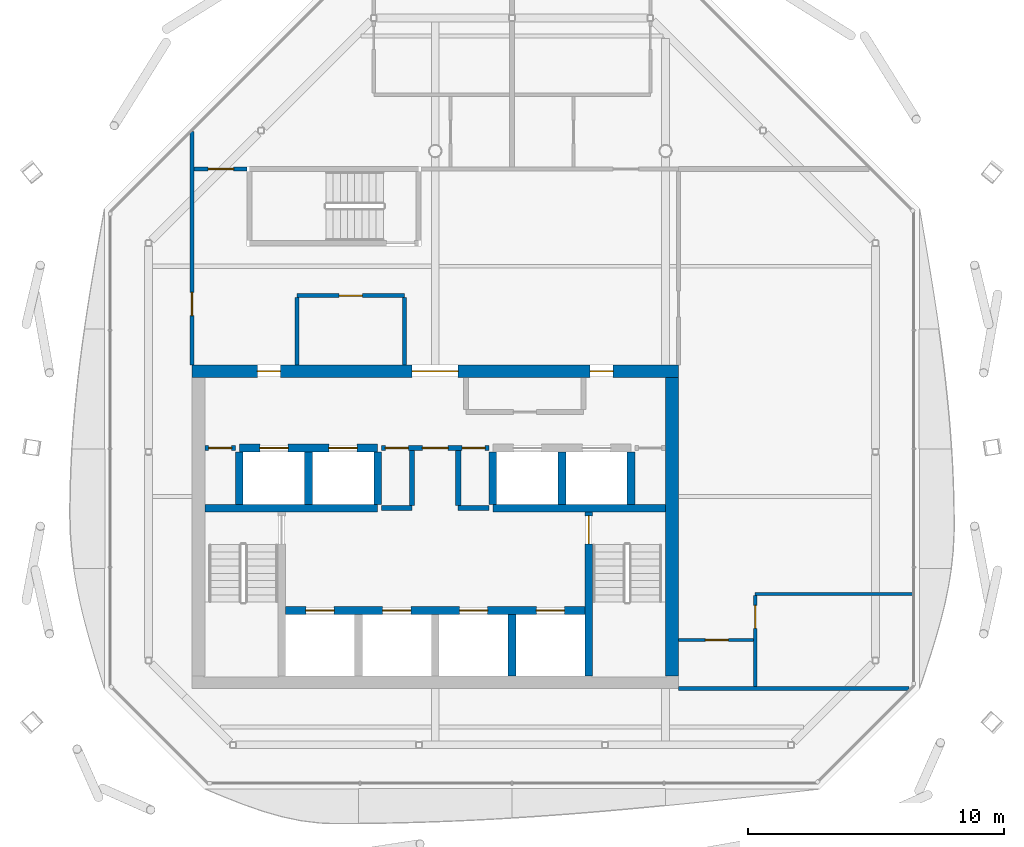
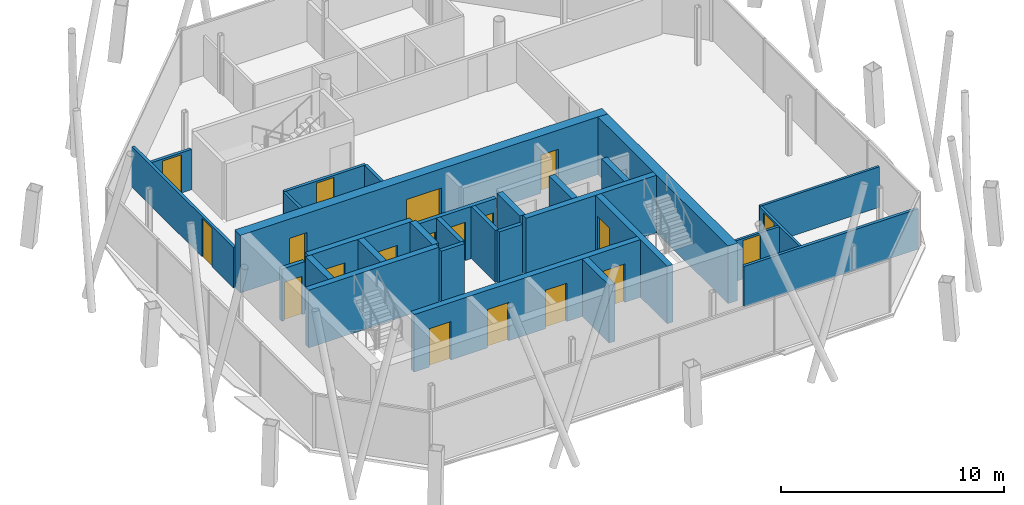
# One storey, part 9 of 13: 29 walls, 19 doors, 19 openings.
"""IFC4 building model written with IfcOpenShell, lengths in metres."""

from ifc_helpers import new_model, si_unit, direction, frame, frame_2d, origin, place, context, subcontext, project, spatial, rectangle, extrude, material, layer, layer_set, type_object, element, fill, save


model = new_model("IFC4")

# Units and contexts
model_context = context("Model", 3, precision=1e-05, world=origin(), true_north=direction((0.0, 1.0)))
body_context = subcontext(model_context, "Body", "Model", "MODEL_VIEW")
ifc_project = project(units=[si_unit("LENGTHUNIT", "METRE"), si_unit("AREAUNIT", "SQUARE_METRE"), si_unit("VOLUMEUNIT", "CUBIC_METRE"), si_unit("PLANEANGLEUNIT", "RADIAN"), si_unit("MASSUNIT", "GRAM", prefix="KILO")], contexts=[model_context])

# Site, building, storey
site_placement = place(None, origin())
site = spatial("IfcSite", under=ifc_project, at=site_placement, CompositionType="ELEMENT")
building_placement = place(site_placement, origin())
building = spatial("IfcBuilding", under=site, at=building_placement, Name="Tskaro Facet Tower", CompositionType="ELEMENT")
storey_placement = place(building_placement, frame((0.0, 0.0, 278.39990234375)))
storey = spatial("IfcBuildingStorey", under=building, at=storey_placement, Name="L74", CompositionType="ELEMENT", Elevation=278.39990234375)

# Wall, openings, doors
ifc_material_1 = material(Name="Concrete C60/75", Category="concrete")
ifc_layer_1 = layer(ifc_material_1, 0.300048828125, Name="Concrete C60/75")
ifc_layer_set_1 = layer_set([ifc_layer_1], Name="Concrete C60/75")
wall_type_1 = type_object("IfcWallType", Name="CORE-SHAFT", PredefinedType="SHEAR", material=ifc_layer_set_1)
wall_1_placement = place(storey_placement, frame((-5.85009765625, -8.949951171875, 0.0), z_axis=(0.0, 0.0, 1.0), x_axis=(1.0, 0.0, 0.0)))
wall_1 = element("IfcWall", 1, at=wall_1_placement, inside=storey, type_object=wall_type_1, Name="Shaft wall W003", PredefinedType="SHEAR", context=body_context, shape_type="SweptSolid", body=[
    extrude(rectangle(XDim=11.7001953125, YDim=0.300048828125, at=frame_2d((5.85009765625, 0.0))), origin(), (0.0, 0.0, 1.0), 3.150146484375),
])
opening_1_placement = place(wall_1_placement, frame((0.800048828125, 0.0, 0.0)))
opening_1 = element("IfcOpeningElement", 2, at=opening_1_placement, cuts=wall_1, Name="Opening LD-FF1", PredefinedType="OPENING", context=body_context, shape_type="SweptSolid", body=[
    extrude(rectangle(XDim=1.10009765625, YDim=2.10009765625, at=frame_2d((0.550048828125, 1.050048828125))), frame((0.0, 0.159912109375, 0.0), z_axis=(0.0, -1.0, 0.0), x_axis=(1.0, 0.0, 0.0)), (0.0, 0.0, 1.0), 0.320068359375),
])
opening_2_placement = place(wall_1_placement, frame((3.800048828125, 0.0, 0.0)))
opening_2 = element("IfcOpeningElement", 3, at=opening_2_placement, cuts=wall_1, Name="Opening LD-FF2", PredefinedType="OPENING", context=body_context, shape_type="SweptSolid", body=[
    extrude(rectangle(XDim=1.10009765625, YDim=2.10009765625, at=frame_2d((0.550048828125, 1.050048828125))), frame((0.0, 0.159912109375, 0.0), z_axis=(0.0, -1.0, 0.0), x_axis=(1.0, 0.0, 0.0)), (0.0, 0.0, 1.0), 0.320068359375),
])
opening_3_placement = place(wall_1_placement, frame((6.800048828125, 0.0, 0.0)))
opening_3 = element("IfcOpeningElement", 4, at=opening_3_placement, cuts=wall_1, Name="Opening LD-SV1", PredefinedType="OPENING", context=body_context, shape_type="SweptSolid", body=[
    extrude(rectangle(XDim=1.10009765625, YDim=2.10009765625, at=frame_2d((0.550048828125, 1.050048828125))), frame((0.0, 0.159912109375, 0.0), z_axis=(0.0, -1.0, 0.0), x_axis=(1.0, 0.0, 0.0)), (0.0, 0.0, 1.0), 0.320068359375),
])
opening_4_placement = place(wall_1_placement, frame((9.800048828125, 0.0, 0.0)))
opening_4 = element("IfcOpeningElement", 5, at=opening_4_placement, cuts=wall_1, Name="Opening LD-SV2", PredefinedType="OPENING", context=body_context, shape_type="SweptSolid", body=[
    extrude(rectangle(XDim=1.10009765625, YDim=2.10009765625, at=frame_2d((0.550048828125, 1.050048828125))), frame((0.0, 0.159912109375, 0.0), z_axis=(0.0, -1.0, 0.0), x_axis=(1.0, 0.0, 0.0)), (0.0, 0.0, 1.0), 0.320068359375),
])
ifc_material_2 = material(Name="Stainless steel", Category="steel")
door_type_1 = type_object("IfcDoorType", Name="D-LANDING", OperationType="NOTDEFINED", PredefinedType="DOOR", material=ifc_material_2)
door_1_placement = place(opening_1_placement, origin())
door_1 = element("IfcDoor", 6, at=door_1_placement, inside=storey, type_object=door_type_1, Name="Landing door FF1", OperationType="DOUBLE_DOOR_SLIDING", OverallHeight=2.10009765625, OverallWidth=1.10009765625, PredefinedType="DOOR", context=body_context, shape_type="SweptSolid", body=[
    extrude(rectangle(XDim=1.10009765625, YDim=2.10009765625, at=frame_2d((0.550048828125, 1.050048828125))), frame((0.0, 0.02490234375, 0.0), z_axis=(0.0, -1.0, 0.0), x_axis=(1.0, 0.0, 0.0)), (0.0, 0.0, 1.0), 0.050048828125),
])
fill(opening_1, door_1)
door_2_placement = place(opening_2_placement, origin())
door_2 = element("IfcDoor", 7, at=door_2_placement, inside=storey, type_object=door_type_1, Name="Landing door FF2", OperationType="DOUBLE_DOOR_SLIDING", OverallHeight=2.10009765625, OverallWidth=1.10009765625, PredefinedType="DOOR", context=body_context, shape_type="SweptSolid", body=[
    extrude(rectangle(XDim=1.10009765625, YDim=2.10009765625, at=frame_2d((0.550048828125, 1.050048828125))), frame((0.0, 0.02490234375, 0.0), z_axis=(0.0, -1.0, 0.0), x_axis=(1.0, 0.0, 0.0)), (0.0, 0.0, 1.0), 0.050048828125),
])
fill(opening_2, door_2)
door_3_placement = place(opening_3_placement, origin())
door_3 = element("IfcDoor", 8, at=door_3_placement, inside=storey, type_object=door_type_1, Name="Landing door SV1", OperationType="DOUBLE_DOOR_SLIDING", OverallHeight=2.10009765625, OverallWidth=1.10009765625, PredefinedType="DOOR", context=body_context, shape_type="SweptSolid", body=[
    extrude(rectangle(XDim=1.10009765625, YDim=2.10009765625, at=frame_2d((0.550048828125, 1.050048828125))), frame((0.0, 0.02490234375, 0.0), z_axis=(0.0, -1.0, 0.0), x_axis=(1.0, 0.0, 0.0)), (0.0, 0.0, 1.0), 0.050048828125),
])
fill(opening_3, door_3)
door_4_placement = place(opening_4_placement, origin())
door_4 = element("IfcDoor", 9, at=door_4_placement, inside=storey, type_object=door_type_1, Name="Landing door SV2", OperationType="DOUBLE_DOOR_SLIDING", OverallHeight=2.10009765625, OverallWidth=1.10009765625, PredefinedType="DOOR", context=body_context, shape_type="SweptSolid", body=[
    extrude(rectangle(XDim=1.10009765625, YDim=2.10009765625, at=frame_2d((0.550048828125, 1.050048828125))), frame((0.0, 0.02490234375, 0.0), z_axis=(0.0, -1.0, 0.0), x_axis=(1.0, 0.0, 0.0)), (0.0, 0.0, 1.0), 0.050048828125),
])
fill(opening_4, door_4)

# Walls
for number, where, z_axis, x_axis, name in (
    (10, (-9.0, -4.949951171875, 0.0), (0.0, 0.0, 1.0), (1.0, 0.0, 0.0), "Shaft wall W005"),
    (11, (2.25, -4.949951171875, 0.0), (0.0, 0.0, 1.0), (1.0, 0.0, 0.0), "Shaft wall W008"),
):
    element("IfcWall", number, at=place(storey_placement, frame(where, z_axis=z_axis, x_axis=x_axis)), inside=storey, type_object=wall_type_1, Name=name, PredefinedType="SHEAR", context=body_context, shape_type="SweptSolid", body=[
        extrude(rectangle(XDim=6.75, YDim=0.300048828125, at=frame_2d((3.375, 0.0))), origin(), (0.0, 0.0, 1.0), 3.150146484375),
    ])

# Wall, openings, doors
wall_2_placement = place(storey_placement, frame((-7.64990234375, -2.60009765625, 0.0), z_axis=(0.0, 0.0, 1.0), x_axis=(1.0, 0.0, 0.0)))
wall_2 = element("IfcWall", 12, at=wall_2_placement, inside=storey, type_object=wall_type_1, Name="Shaft wall W010", PredefinedType="SHEAR", context=body_context, shape_type="SweptSolid", body=[
    extrude(rectangle(XDim=5.39990234375, YDim=0.300048828125, at=frame_2d((2.699951171875, 0.0))), origin(), (0.0, 0.0, 1.0), 3.150146484375),
])
opening_5_placement = place(wall_2_placement, frame((0.800048828125, 0.0, 0.0)))
opening_5 = element("IfcOpeningElement", 13, at=opening_5_placement, cuts=wall_2, Name="Opening LD-HB1", PredefinedType="OPENING", context=body_context, shape_type="SweptSolid", body=[
    extrude(rectangle(XDim=1.10009765625, YDim=2.10009765625, at=frame_2d((0.550048828125, 1.050048828125))), frame((0.0, 0.159912109375, 0.0), z_axis=(0.0, -1.0, 0.0), x_axis=(1.0, 0.0, 0.0)), (0.0, 0.0, 1.0), 0.320068359375),
])
opening_6_placement = place(wall_2_placement, frame((3.5, 0.0, 0.0)))
opening_6 = element("IfcOpeningElement", 14, at=opening_6_placement, cuts=wall_2, Name="Opening LD-HB2", PredefinedType="OPENING", context=body_context, shape_type="SweptSolid", body=[
    extrude(rectangle(XDim=1.10009765625, YDim=2.10009765625, at=frame_2d((0.550048828125, 1.050048828125))), frame((0.0, 0.159912109375, 0.0), z_axis=(0.0, -1.0, 0.0), x_axis=(1.0, 0.0, 0.0)), (0.0, 0.0, 1.0), 0.320068359375),
])
door_5_placement = place(opening_5_placement, origin())
door_5 = element("IfcDoor", 15, at=door_5_placement, inside=storey, type_object=door_type_1, Name="Landing door HB1", OperationType="DOUBLE_DOOR_SLIDING", OverallHeight=2.10009765625, OverallWidth=1.10009765625, PredefinedType="DOOR", context=body_context, shape_type="SweptSolid", body=[
    extrude(rectangle(XDim=1.10009765625, YDim=2.10009765625, at=frame_2d((0.550048828125, 1.050048828125))), frame((0.0, 0.02490234375, 0.0), z_axis=(0.0, -1.0, 0.0), x_axis=(1.0, 0.0, 0.0)), (0.0, 0.0, 1.0), 0.050048828125),
])
fill(opening_5, door_5)
door_6_placement = place(opening_6_placement, origin())
door_6 = element("IfcDoor", 16, at=door_6_placement, inside=storey, type_object=door_type_1, Name="Landing door HB2", OperationType="DOUBLE_DOOR_SLIDING", OverallHeight=2.10009765625, OverallWidth=1.10009765625, PredefinedType="DOOR", context=body_context, shape_type="SweptSolid", body=[
    extrude(rectangle(XDim=1.10009765625, YDim=2.10009765625, at=frame_2d((0.550048828125, 1.050048828125))), frame((0.0, 0.02490234375, 0.0), z_axis=(0.0, -1.0, 0.0), x_axis=(1.0, 0.0, 0.0)), (0.0, 0.0, 1.0), 0.050048828125),
])
fill(opening_6, door_6)

# Walls
for number, where, z_axis, x_axis, name in (
    (17, (-7.64990234375, -4.800048828125, 0.0), (0.0, 0.0, 1.0), (0.0, 1.0, 0.0), "Shaft wall W023"),
    (18, (-4.949951171875, -4.800048828125, 0.0), (0.0, 0.0, 1.0), (0.0, 1.0, 0.0), "Shaft wall W027"),
    (19, (-2.25, -4.800048828125, 0.0), (0.0, 0.0, 1.0), (0.0, 1.0, 0.0), "Shaft wall W031"),
    (20, (2.25, -4.800048828125, 0.0), (0.0, 0.0, 1.0), (0.0, 1.0, 0.0), "Shaft wall W039"),
):
    element("IfcWall", number, at=place(storey_placement, frame(where, z_axis=z_axis, x_axis=x_axis)), inside=storey, type_object=wall_type_1, Name=name, PredefinedType="SHEAR", context=body_context, shape_type="SweptSolid", body=[
        extrude(rectangle(XDim=2.050048828125, YDim=0.300048828125, at=frame_2d((1.02490234375, 0.0))), origin(), (0.0, 0.0, 1.0), 3.150146484375),
    ])
wall_3_placement = place(storey_placement, frame((3.0, -11.5, 0.0), z_axis=(0.0, 0.0, 1.0), x_axis=(0.0, 1.0, 0.0)))
element("IfcWall", 21, at=wall_3_placement, inside=storey, type_object=wall_type_1, Name="Shaft wall W040", PredefinedType="SHEAR", context=body_context, shape_type="SweptSolid", body=[
    extrude(rectangle(XDim=2.39990234375, YDim=0.300048828125, at=frame_2d((1.199951171875, 0.0))), origin(), (0.0, 0.0, 1.0), 3.150146484375),
])
wall_4_placement = place(storey_placement, frame((4.949951171875, -4.800048828125, 0.0), z_axis=(0.0, 0.0, 1.0), x_axis=(0.0, 1.0, 0.0)))
element("IfcWall", 22, at=wall_4_placement, inside=storey, type_object=wall_type_1, Name="Shaft wall W043", PredefinedType="SHEAR", context=body_context, shape_type="SweptSolid", body=[
    extrude(rectangle(XDim=2.050048828125, YDim=0.300048828125, at=frame_2d((1.02490234375, 0.0))), origin(), (0.0, 0.0, 1.0), 3.150146484375),
])

# Wall, opening, door
wall_5_placement = place(storey_placement, frame((6.0, -5.10009765625, 0.0), z_axis=(0.0, 0.0, 1.0), x_axis=(0.0, -1.0, 0.0)))
wall_5 = element("IfcWall", 23, at=wall_5_placement, inside=storey, type_object=wall_type_1, Name="Shaft wall W046", PredefinedType="SHEAR", context=body_context, shape_type="SweptSolid", body=[
    extrude(rectangle(XDim=6.39990234375, YDim=0.300048828125, at=frame_2d((3.199951171875, 0.0))), origin(), (0.0, 0.0, 1.0), 3.150146484375),
])
opening_7_placement = place(wall_5_placement, frame((0.14990234375, 0.0, 0.0)))
opening_7 = element("IfcOpeningElement", 24, at=opening_7_placement, cuts=wall_5, Name="Opening ST-2-D1", PredefinedType="OPENING", context=body_context, shape_type="SweptSolid", body=[
    extrude(rectangle(XDim=1.10009765625, YDim=2.10009765625, at=frame_2d((0.550048828125, 1.050048828125))), frame((0.0, 0.159912109375, 0.0), z_axis=(0.0, -1.0, 0.0), x_axis=(1.0, 0.0, 0.0)), (0.0, 0.0, 1.0), 0.320068359375),
])
ifc_material_3 = material(Name="Steel", Category="steel")
door_type_2 = type_object("IfcDoorType", Name="D-STAIR", OperationType="NOTDEFINED", PredefinedType="DOOR", material=ifc_material_3)
door_7_placement = place(opening_7_placement, origin())
door_7 = element("IfcDoor", 25, at=door_7_placement, inside=storey, type_object=door_type_2, Name="Stair door 2", OperationType="SINGLE_SWING_RIGHT", OverallHeight=2.10009765625, OverallWidth=1.10009765625, PredefinedType="DOOR", context=body_context, shape_type="SweptSolid", body=[
    extrude(rectangle(XDim=1.10009765625, YDim=2.10009765625, at=frame_2d((0.550048828125, 1.050048828125))), frame((0.0, 0.02490234375, 0.0), z_axis=(0.0, -1.0, 0.0), x_axis=(1.0, 0.0, 0.0)), (0.0, 0.0, 1.0), 0.050048828125),
])
fill(opening_7, door_7)

# Walls
wall_6_placement = place(storey_placement, frame((7.64990234375, -4.800048828125, 0.0), z_axis=(0.0, 0.0, 1.0), x_axis=(0.0, 1.0, 0.0)))
element("IfcWall", 26, at=wall_6_placement, inside=storey, type_object=wall_type_1, Name="Shaft wall W047", PredefinedType="SHEAR", context=body_context, shape_type="SweptSolid", body=[
    extrude(rectangle(XDim=2.050048828125, YDim=0.300048828125, at=frame_2d((1.02490234375, 0.0))), origin(), (0.0, 0.0, 1.0), 3.150146484375),
])
ifc_material_4 = material(Name="Concrete C20/25", Category="concrete")
ifc_layer_2 = layer(ifc_material_4, 0.199951171875, Name="Concrete C20/25")
ifc_layer_set_2 = layer_set([ifc_layer_2], Name="Concrete C20/25")
wall_type_2 = type_object("IfcWallType", Name="CORE-WALL", PredefinedType="SOLIDWALL", material=ifc_layer_set_2)
for number, where, z_axis, x_axis, name in (
    (27, (-2.10009765625, -4.949951171875, 0.0), (0.0, 0.0, 1.0), (1.0, 0.0, 0.0), "Core room wall W006"),
    (28, (0.89990234375, -4.949951171875, 0.0), (0.0, 0.0, 1.0), (1.0, 0.0, 0.0), "Core room wall W007"),
):
    element("IfcWall", number, at=place(storey_placement, frame(where, z_axis=z_axis, x_axis=x_axis)), inside=storey, type_object=wall_type_2, Name=name, PredefinedType="SOLIDWALL", context=body_context, shape_type="SweptSolid", body=[
        extrude(rectangle(XDim=1.2001953125, YDim=0.199951171875, at=frame_2d((0.60009765625, 0.0))), origin(), (0.0, 0.0, 1.0), 2.85009765625),
    ])

# Wall, opening, door
wall_7_placement = place(storey_placement, frame((-7.800048828125, -2.60009765625, 0.0), z_axis=(0.0, 0.0, 1.0), x_axis=(-1.0, 0.0, 0.0)))
wall_7 = element("IfcWall", 29, at=wall_7_placement, inside=storey, type_object=wall_type_2, Name="Core room wall W009", PredefinedType="SOLIDWALL", context=body_context, shape_type="SweptSolid", body=[
    extrude(rectangle(XDim=1.199951171875, YDim=0.199951171875, at=frame_2d((0.60009765625, 0.0))), origin(), (0.0, 0.0, 1.0), 2.85009765625),
])
opening_8_placement = place(wall_7_placement, frame((0.14990234375, 0.0, 0.0)))
opening_8 = element("IfcOpeningElement", 30, at=opening_8_placement, cuts=wall_7, Name="Opening T22-D03", PredefinedType="OPENING", context=body_context, shape_type="SweptSolid", body=[
    extrude(rectangle(XDim=0.89990234375, YDim=2.10009765625, at=frame_2d((0.449951171875, 1.050048828125))), frame((0.0, 0.10986328125, 0.0), z_axis=(0.0, -1.0, 0.0), x_axis=(1.0, 0.0, 0.0)), (0.0, 0.0, 1.0), 0.219970703125),
])
ifc_material_5 = material(Name="Timber", Category="wood")
door_type_3 = type_object("IfcDoorType", Name="D-ROOM", OperationType="NOTDEFINED", PredefinedType="DOOR", material=ifc_material_5)
door_8_placement = place(opening_8_placement, origin())
door_8 = element("IfcDoor", 31, at=door_8_placement, inside=storey, type_object=door_type_3, Name="Door T22-D03", OperationType="SINGLE_SWING_RIGHT", OverallHeight=2.10009765625, OverallWidth=0.89990234375, PredefinedType="DOOR", context=body_context, shape_type="SweptSolid", body=[
    extrude(rectangle(XDim=0.89990234375, YDim=2.10009765625, at=frame_2d((0.449951171875, 1.050048828125))), frame((0.0, 0.02490234375, 0.0), z_axis=(0.0, -1.0, 0.0), x_axis=(1.0, 0.0, 0.0)), (0.0, 0.0, 1.0), 0.050048828125),
])
fill(opening_8, door_8)

# Wall, openings, doors
wall_8_placement = place(storey_placement, frame((2.10009765625, -2.60009765625, 0.0), z_axis=(0.0, 0.0, 1.0), x_axis=(-1.0, 0.0, 0.0)))
wall_8 = element("IfcWall", 32, at=wall_8_placement, inside=storey, type_object=wall_type_2, Name="Core room wall W011", PredefinedType="SOLIDWALL", context=body_context, shape_type="SweptSolid", body=[
    extrude(rectangle(XDim=4.2001953125, YDim=0.199951171875, at=frame_2d((2.10009765625, 0.0))), origin(), (0.0, 0.0, 1.0), 2.85009765625),
])
opening_9_placement = place(wall_8_placement, frame((1.60009765625, 0.0, 0.0)))
opening_9 = element("IfcOpeningElement", 33, at=opening_9_placement, cuts=wall_8, Name="Opening FL-D1", PredefinedType="OPENING", context=body_context, shape_type="SweptSolid", body=[
    extrude(rectangle(XDim=1.0, YDim=2.10009765625, at=frame_2d((0.5, 1.050048828125))), frame((0.0, 0.10986328125, 0.0), z_axis=(0.0, -1.0, 0.0), x_axis=(1.0, 0.0, 0.0)), (0.0, 0.0, 1.0), 0.219970703125),
])
opening_10_placement = place(wall_8_placement, frame((3.14990234375, 0.0, 0.0)))
opening_10 = element("IfcOpeningElement", 34, at=opening_10_placement, cuts=wall_8, Name="Opening T22-D04", PredefinedType="OPENING", context=body_context, shape_type="SweptSolid", body=[
    extrude(rectangle(XDim=0.89990234375, YDim=2.10009765625, at=frame_2d((0.449951171875, 1.050048828125))), frame((0.0, 0.10986328125, 0.0), z_axis=(0.0, -1.0, 0.0), x_axis=(1.0, 0.0, 0.0)), (0.0, 0.0, 1.0), 0.219970703125),
])
opening_11_placement = place(wall_8_placement, frame((0.14990234375, 0.0, 0.0)))
opening_11 = element("IfcOpeningElement", 35, at=opening_11_placement, cuts=wall_8, Name="Opening T22-D05", PredefinedType="OPENING", context=body_context, shape_type="SweptSolid", body=[
    extrude(rectangle(XDim=0.89990234375, YDim=2.10009765625, at=frame_2d((0.449951171875, 1.050048828125))), frame((0.0, 0.10986328125, 0.0), z_axis=(0.0, -1.0, 0.0), x_axis=(1.0, 0.0, 0.0)), (0.0, 0.0, 1.0), 0.219970703125),
])
door_type_4 = type_object("IfcDoorType", Name="D-LOBBY", OperationType="NOTDEFINED", PredefinedType="DOOR", material=ifc_material_3)
door_9_placement = place(opening_9_placement, origin())
door_9 = element("IfcDoor", 36, at=door_9_placement, inside=storey, type_object=door_type_4, Name="Lobby door FL", OperationType="SINGLE_SWING_RIGHT", OverallHeight=2.10009765625, OverallWidth=1.0, PredefinedType="DOOR", context=body_context, shape_type="SweptSolid", body=[
    extrude(rectangle(XDim=1.0, YDim=2.10009765625, at=frame_2d((0.5, 1.050048828125))), frame((0.0, 0.02490234375, 0.0), z_axis=(0.0, -1.0, 0.0), x_axis=(1.0, 0.0, 0.0)), (0.0, 0.0, 1.0), 0.050048828125),
])
fill(opening_9, door_9)
door_10_placement = place(opening_10_placement, origin())
door_10 = element("IfcDoor", 37, at=door_10_placement, inside=storey, type_object=door_type_3, Name="Door T22-D04", OperationType="SINGLE_SWING_RIGHT", OverallHeight=2.10009765625, OverallWidth=0.89990234375, PredefinedType="DOOR", context=body_context, shape_type="SweptSolid", body=[
    extrude(rectangle(XDim=0.89990234375, YDim=2.10009765625, at=frame_2d((0.449951171875, 1.050048828125))), frame((0.0, 0.02490234375, 0.0), z_axis=(0.0, -1.0, 0.0), x_axis=(1.0, 0.0, 0.0)), (0.0, 0.0, 1.0), 0.050048828125),
])
fill(opening_10, door_10)
door_11_placement = place(opening_11_placement, origin())
door_11 = element("IfcDoor", 38, at=door_11_placement, inside=storey, type_object=door_type_3, Name="Door T22-D05", OperationType="SINGLE_SWING_RIGHT", OverallHeight=2.10009765625, OverallWidth=0.89990234375, PredefinedType="DOOR", context=body_context, shape_type="SweptSolid", body=[
    extrude(rectangle(XDim=0.89990234375, YDim=2.10009765625, at=frame_2d((0.449951171875, 1.050048828125))), frame((0.0, 0.02490234375, 0.0), z_axis=(0.0, -1.0, 0.0), x_axis=(1.0, 0.0, 0.0)), (0.0, 0.0, 1.0), 0.050048828125),
])
fill(opening_11, door_11)

# Walls
for number, where, z_axis, x_axis, name in (
    (39, (-0.89990234375, -4.85009765625, 0.0), (0.0, 0.0, 1.0), (0.0, 1.0, 0.0), "Core room wall W033"),
    (40, (0.89990234375, -4.85009765625, 0.0), (0.0, 0.0, 1.0), (0.0, 1.0, 0.0), "Core room wall W037"),
):
    element("IfcWall", number, at=place(storey_placement, frame(where, z_axis=z_axis, x_axis=x_axis)), inside=storey, type_object=wall_type_2, Name=name, PredefinedType="SOLIDWALL", context=body_context, shape_type="SweptSolid", body=[
        extrude(rectangle(XDim=2.150146484375, YDim=0.199951171875, at=frame_2d((1.0751953125, 0.0))), origin(), (0.0, 0.0, 1.0), 2.85009765625),
    ])

# Wall, openings, doors
ifc_material_6 = material(Name="Concrete C40/50", Category="concrete")
ifc_layer_3 = layer(ifc_material_6, 0.5, Name="Concrete C40/50")
ifc_layer_set_3 = layer_set([ifc_layer_3], Name="Concrete C40/50")
wall_type_3 = type_object("IfcWallType", Name="Core wall 500", PredefinedType="SHEAR", material=ifc_layer_set_3)
wall_9_placement = place(storey_placement, frame((-9.5, 0.39990234375, 0.0), z_axis=(0.0, 0.0, 1.0), x_axis=(1.0, 0.0, 0.0)))
wall_9 = element("IfcWall", 41, at=wall_9_placement, inside=storey, type_object=wall_type_3, Name="Core wall CW-Z3N", PredefinedType="SHEAR", context=body_context, shape_type="SweptSolid", body=[
    extrude(rectangle(XDim=19.0, YDim=0.5, at=frame_2d((9.5, 0.0))), origin(), (0.0, 0.0, 1.0), 3.150146484375),
])
opening_12_placement = place(wall_9_placement, frame((8.60009765625, 0.0, 0.0)))
opening_12 = element("IfcOpeningElement", 42, at=opening_12_placement, cuts=wall_9, Name="Opening T22-D09", PredefinedType="OPENING", context=body_context, shape_type="SweptSolid", body=[
    extrude(rectangle(XDim=1.800048828125, YDim=2.10009765625, at=frame_2d((0.89990234375, 1.050048828125))), frame((0.0, 0.260009765625, 0.0), z_axis=(0.0, -1.0, 0.0), x_axis=(1.0, 0.0, 0.0)), (0.0, 0.0, 1.0), 0.52001953125),
])
opening_13_placement = place(wall_9_placement, frame((2.550048828125, 0.0, 0.0)))
opening_13 = element("IfcOpeningElement", 43, at=opening_13_placement, cuts=wall_9, Name="Opening T22-D08", PredefinedType="OPENING", context=body_context, shape_type="SweptSolid", body=[
    extrude(rectangle(XDim=0.89990234375, YDim=2.10009765625, at=frame_2d((0.449951171875, 1.050048828125))), frame((0.0, 0.260009765625, 0.0), z_axis=(0.0, -1.0, 0.0), x_axis=(1.0, 0.0, 0.0)), (0.0, 0.0, 1.0), 0.52001953125),
])
opening_14_placement = place(wall_9_placement, frame((15.550048828125, 0.0, 0.0)))
opening_14 = element("IfcOpeningElement", 44, at=opening_14_placement, cuts=wall_9, Name="Opening T22-D10", PredefinedType="OPENING", context=body_context, shape_type="SweptSolid", body=[
    extrude(rectangle(XDim=0.89990234375, YDim=2.10009765625, at=frame_2d((0.449951171875, 1.050048828125))), frame((0.0, 0.260009765625, 0.0), z_axis=(0.0, -1.0, 0.0), x_axis=(1.0, 0.0, 0.0)), (0.0, 0.0, 1.0), 0.52001953125),
])
door_type_5 = type_object("IfcDoorType", Name="D-CORE-PAIR", OperationType="NOTDEFINED", PredefinedType="DOOR", material=ifc_material_3)
door_12_placement = place(opening_12_placement, origin())
door_12 = element("IfcDoor", 45, at=door_12_placement, inside=storey, type_object=door_type_5, Name="Door T22-D09", OperationType="DOUBLE_DOOR_SINGLE_SWING", OverallHeight=2.10009765625, OverallWidth=1.800048828125, PredefinedType="DOOR", context=body_context, shape_type="SweptSolid", body=[
    extrude(rectangle(XDim=1.800048828125, YDim=2.10009765625, at=frame_2d((0.89990234375, 1.050048828125))), frame((0.0, 0.02490234375, 0.0), z_axis=(0.0, -1.0, 0.0), x_axis=(1.0, 0.0, 0.0)), (0.0, 0.0, 1.0), 0.050048828125),
])
fill(opening_12, door_12)
door_13_placement = place(opening_13_placement, origin())
door_13 = element("IfcDoor", 46, at=door_13_placement, inside=storey, type_object=door_type_3, Name="Door T22-D08", OperationType="SINGLE_SWING_LEFT", OverallHeight=2.10009765625, OverallWidth=0.89990234375, PredefinedType="DOOR", context=body_context, shape_type="SweptSolid", body=[
    extrude(rectangle(XDim=0.89990234375, YDim=2.10009765625, at=frame_2d((0.449951171875, 1.050048828125))), frame((0.0, 0.02490234375, 0.0), z_axis=(0.0, -1.0, 0.0), x_axis=(1.0, 0.0, 0.0)), (0.0, 0.0, 1.0), 0.050048828125),
])
fill(opening_13, door_13)
door_14_placement = place(opening_14_placement, origin())
door_14 = element("IfcDoor", 47, at=door_14_placement, inside=storey, type_object=door_type_3, Name="Door T22-D10", OperationType="SINGLE_SWING_LEFT", OverallHeight=2.10009765625, OverallWidth=0.89990234375, PredefinedType="DOOR", context=body_context, shape_type="SweptSolid", body=[
    extrude(rectangle(XDim=0.89990234375, YDim=2.10009765625, at=frame_2d((0.449951171875, 1.050048828125))), frame((0.0, 0.02490234375, 0.0), z_axis=(0.0, -1.0, 0.0), x_axis=(1.0, 0.0, 0.0)), (0.0, 0.0, 1.0), 0.050048828125),
])
fill(opening_14, door_14)

# Wall
wall_10_placement = place(storey_placement, frame((9.25, -11.5, 0.0), z_axis=(0.0, 0.0, 1.0), x_axis=(0.0, 1.0, 0.0)))
element("IfcWall", 48, at=wall_10_placement, inside=storey, type_object=wall_type_3, Name="Core wall CW-Z3E", PredefinedType="SHEAR", context=body_context, shape_type="SweptSolid", body=[
    extrude(rectangle(XDim=11.64990234375, YDim=0.5, at=frame_2d((5.824951171875, 0.0))), origin(), (0.0, 0.0, 1.0), 3.150146484375),
])

# Wall, opening, door
ifc_material_7 = material(Name="Gypsum board on steel studs", Category="steel")
ifc_layer_4 = layer(ifc_material_7, 0.125, Name="Gypsum board on steel studs")
ifc_layer_set_4 = layer_set([ifc_layer_4], Name="Gypsum board on steel studs")
wall_type_4 = type_object("IfcWallType", Name="PART", PredefinedType="PARTITIONING", material=ifc_layer_set_4)
wall_11_placement = place(storey_placement, frame((12.4375, -10.10009765625, 0.0), z_axis=(0.0, 0.0, 1.0), x_axis=(-1.0, 0.0, 0.0)))
wall_11 = element("IfcWall", 49, at=wall_11_placement, inside=storey, type_object=wall_type_4, Name="Partition W002", PredefinedType="PARTITIONING", context=body_context, shape_type="SweptSolid", body=[
    extrude(rectangle(XDim=2.9375, YDim=0.125, at=frame_2d((1.46875, 0.0))), origin(), (0.0, 0.0, 1.0), 2.210205078125),
])
opening_15_placement = place(wall_11_placement, frame((0.987548828125, 0.0, 0.0)))
opening_15 = element("IfcOpeningElement", 50, at=opening_15_placement, cuts=wall_11, Name="Opening T22-D01", PredefinedType="OPENING", context=body_context, shape_type="SweptSolid", body=[
    extrude(rectangle(XDim=0.89990234375, YDim=2.10009765625, at=frame_2d((0.449951171875, 1.050048828125))), frame((0.0, 0.072509765625, 0.0), z_axis=(0.0, -1.0, 0.0), x_axis=(1.0, 0.0, 0.0)), (0.0, 0.0, 1.0), 0.14501953125),
])
door_15_placement = place(opening_15_placement, origin())
door_15 = element("IfcDoor", 51, at=door_15_placement, inside=storey, type_object=door_type_3, Name="Door T22-D01", OperationType="SINGLE_SWING_RIGHT", OverallHeight=2.10009765625, OverallWidth=0.89990234375, PredefinedType="DOOR", context=body_context, shape_type="SweptSolid", body=[
    extrude(rectangle(XDim=0.89990234375, YDim=2.10009765625, at=frame_2d((0.449951171875, 1.050048828125))), frame((0.0, 0.02490234375, 0.0), z_axis=(0.0, -1.0, 0.0), x_axis=(1.0, 0.0, 0.0)), (0.0, 0.0, 1.0), 0.050048828125),
])
fill(opening_15, door_15)

# Wall
wall_12_placement = place(storey_placement, frame((12.5, -8.300048828125, 0.0), z_axis=(0.0, 0.0, 1.0), x_axis=(1.0, 0.0, 0.0)))
element("IfcWall", 52, at=wall_12_placement, inside=storey, type_object=wall_type_4, Name="Partition W004", PredefinedType="PARTITIONING", context=body_context, shape_type="SweptSolid", body=[
    extrude(rectangle(XDim=6.14794921875, YDim=0.125, at=frame_2d((3.073974609375, 0.0))), origin(), (0.0, 0.0, 1.0), 2.210205078125),
])

# Wall, opening, door
wall_13_placement = place(storey_placement, frame((12.5, -8.362548828125, 0.0), z_axis=(0.0, 0.0, 1.0), x_axis=(0.0, -1.0, 0.0)))
wall_13 = element("IfcWall", 53, at=wall_13_placement, inside=storey, type_object=wall_type_4, Name="Partition W051", PredefinedType="PARTITIONING", context=body_context, shape_type="SweptSolid", body=[
    extrude(rectangle(XDim=3.5625, YDim=0.125, at=frame_2d((1.78125, 0.0))), origin(), (0.0, 0.0, 1.0), 2.210205078125),
])
opening_16_placement = place(wall_13_placement, frame((0.387451171875, 0.0, 0.0)))
opening_16 = element("IfcOpeningElement", 54, at=opening_16_placement, cuts=wall_13, Name="Opening T22-D02", PredefinedType="OPENING", context=body_context, shape_type="SweptSolid", body=[
    extrude(rectangle(XDim=0.89990234375, YDim=2.10009765625, at=frame_2d((0.449951171875, 1.050048828125))), frame((0.0, 0.072509765625, 0.0), z_axis=(0.0, -1.0, 0.0), x_axis=(1.0, 0.0, 0.0)), (0.0, 0.0, 1.0), 0.14501953125),
])
door_16_placement = place(opening_16_placement, origin())
door_16 = element("IfcDoor", 55, at=door_16_placement, inside=storey, type_object=door_type_3, Name="Door T22-D02", OperationType="SINGLE_SWING_LEFT", OverallHeight=2.10009765625, OverallWidth=0.89990234375, PredefinedType="DOOR", context=body_context, shape_type="SweptSolid", body=[
    extrude(rectangle(XDim=0.89990234375, YDim=2.10009765625, at=frame_2d((0.449951171875, 1.050048828125))), frame((0.0, 0.02490234375, 0.0), z_axis=(0.0, -1.0, 0.0), x_axis=(1.0, 0.0, 0.0)), (0.0, 0.0, 1.0), 0.050048828125),
])
fill(opening_16, door_16)

# Wall
ifc_layer_5 = layer(ifc_material_7, 0.14990234375, Name="Gypsum board on steel studs")
ifc_layer_set_5 = layer_set([ifc_layer_5], Name="Gypsum board on steel studs")
wall_type_5 = type_object("IfcWallType", Name="PART-CORR", PredefinedType="PARTITIONING", material=ifc_layer_set_5)
wall_14_placement = place(storey_placement, frame((9.5, -12.0, 0.0), z_axis=(0.0, 0.0, 1.0), x_axis=(1.0, 0.0, 0.0)))
element("IfcWall", 56, at=wall_14_placement, inside=storey, type_object=wall_type_5, Name="Corridor wall W001", PredefinedType="PARTITIONING", context=body_context, shape_type="SweptSolid", body=[
    extrude(rectangle(XDim=9.014892578125, YDim=0.14990234375, at=frame_2d((4.50732421875, 0.0))), origin(), (0.0, 0.0, 1.0), 2.210205078125),
])

# Wall, opening, door
wall_15_placement = place(storey_placement, frame((-1.199951171875, 3.35009765625, 0.0), z_axis=(0.0, 0.0, 1.0), x_axis=(-1.0, 0.0, 0.0)))
wall_15 = element("IfcWall", 57, at=wall_15_placement, inside=storey, type_object=wall_type_5, Name="Corridor wall W015", PredefinedType="PARTITIONING", context=body_context, shape_type="SweptSolid", body=[
    extrude(rectangle(XDim=4.199951171875, YDim=0.14990234375, at=frame_2d((2.10009765625, 0.0))), origin(), (0.0, 0.0, 1.0), 2.210205078125),
])
opening_17_placement = place(wall_15_placement, frame((1.64990234375, 0.0, 0.0)))
opening_17 = element("IfcOpeningElement", 58, at=opening_17_placement, cuts=wall_15, Name="Opening T22-D13", PredefinedType="OPENING", context=body_context, shape_type="SweptSolid", body=[
    extrude(rectangle(XDim=0.89990234375, YDim=2.10009765625, at=frame_2d((0.449951171875, 1.050048828125))), frame((0.0, 0.0849609375, 0.0), z_axis=(0.0, -1.0, 0.0), x_axis=(1.0, 0.0, 0.0)), (0.0, 0.0, 1.0), 0.169921875),
])
door_17_placement = place(opening_17_placement, origin())
door_17 = element("IfcDoor", 59, at=door_17_placement, inside=storey, type_object=door_type_3, Name="Door T22-D13", OperationType="SINGLE_SWING_RIGHT", OverallHeight=2.10009765625, OverallWidth=0.89990234375, PredefinedType="DOOR", context=body_context, shape_type="SweptSolid", body=[
    extrude(rectangle(XDim=0.89990234375, YDim=2.10009765625, at=frame_2d((0.449951171875, 1.050048828125))), frame((0.0, 0.02490234375, 0.0), z_axis=(0.0, -1.0, 0.0), x_axis=(1.0, 0.0, 0.0)), (0.0, 0.0, 1.0), 0.050048828125),
])
fill(opening_17, door_17)

wall_16_placement = place(storey_placement, frame((-9.425048828125, 8.300048828125, 0.0), z_axis=(0.0, 0.0, 1.0), x_axis=(1.0, 0.0, 0.0)))
wall_16 = element("IfcWall", 60, at=wall_16_placement, inside=storey, type_object=wall_type_5, Name="Corridor wall W017", PredefinedType="PARTITIONING", context=body_context, shape_type="SweptSolid", body=[
    extrude(rectangle(XDim=2.074951171875, YDim=0.14990234375, at=frame_2d((1.03759765625, 0.0))), origin(), (0.0, 0.0, 1.0), 2.210205078125),
])
opening_18_placement = place(wall_16_placement, frame((0.550048828125, 0.0, 0.0)))
opening_18 = element("IfcOpeningElement", 61, at=opening_18_placement, cuts=wall_16, Name="Opening T22-D14", PredefinedType="OPENING", context=body_context, shape_type="SweptSolid", body=[
    extrude(rectangle(XDim=1.0, YDim=2.10009765625, at=frame_2d((0.5, 1.050048828125))), frame((0.0, 0.0849609375, 0.0), z_axis=(0.0, -1.0, 0.0), x_axis=(1.0, 0.0, 0.0)), (0.0, 0.0, 1.0), 0.169921875),
])
door_type_6 = type_object("IfcDoorType", Name="D-FLAT-ENTRY", OperationType="NOTDEFINED", PredefinedType="DOOR", material=ifc_material_5)
door_18_placement = place(opening_18_placement, origin())
door_18 = element("IfcDoor", 62, at=door_18_placement, inside=storey, type_object=door_type_6, Name="Door T22-D14", OperationType="SINGLE_SWING_LEFT", OverallHeight=2.10009765625, OverallWidth=1.0, PredefinedType="DOOR", context=body_context, shape_type="SweptSolid", body=[
    extrude(rectangle(XDim=1.0, YDim=2.10009765625, at=frame_2d((0.5, 1.050048828125))), frame((0.0, 0.02490234375, 0.0), z_axis=(0.0, -1.0, 0.0), x_axis=(1.0, 0.0, 0.0)), (0.0, 0.0, 1.0), 0.050048828125),
])
fill(opening_18, door_18)

wall_17_placement = place(storey_placement, frame((-9.5, 0.64990234375, 0.0), z_axis=(0.0, 0.0, 1.0), x_axis=(0.0, 1.0, 0.0)))
wall_17 = element("IfcWall", 63, at=wall_17_placement, inside=storey, type_object=wall_type_5, Name="Corridor wall W022", PredefinedType="PARTITIONING", context=body_context, shape_type="SweptSolid", body=[
    extrude(rectangle(XDim=9.10400390625, YDim=0.14990234375, at=frame_2d((4.552001953125, 0.0))), origin(), (0.0, 0.0, 1.0), 2.210205078125),
])
opening_19_placement = place(wall_17_placement, frame((1.925048828125, 0.0, 0.0)))
opening_19 = element("IfcOpeningElement", 64, at=opening_19_placement, cuts=wall_17, Name="Opening T22-D11", PredefinedType="OPENING", context=body_context, shape_type="SweptSolid", body=[
    extrude(rectangle(XDim=0.89990234375, YDim=2.10009765625, at=frame_2d((0.449951171875, 1.050048828125))), frame((0.0, 0.0849609375, 0.0), z_axis=(0.0, -1.0, 0.0), x_axis=(1.0, 0.0, 0.0)), (0.0, 0.0, 1.0), 0.169921875),
])
door_19_placement = place(opening_19_placement, origin())
door_19 = element("IfcDoor", 65, at=door_19_placement, inside=storey, type_object=door_type_3, Name="Door T22-D11", OperationType="SINGLE_SWING_LEFT", OverallHeight=2.10009765625, OverallWidth=0.89990234375, PredefinedType="DOOR", context=body_context, shape_type="SweptSolid", body=[
    extrude(rectangle(XDim=0.89990234375, YDim=2.10009765625, at=frame_2d((0.449951171875, 1.050048828125))), frame((0.0, 0.02490234375, 0.0), z_axis=(0.0, -1.0, 0.0), x_axis=(1.0, 0.0, 0.0)), (0.0, 0.0, 1.0), 0.050048828125),
])
fill(opening_19, door_19)

# Walls
for number, where, z_axis, x_axis, name in (
    (66, (-5.39990234375, 0.64990234375, 0.0), (0.0, 0.0, 1.0), (0.0, 1.0, 0.0), "Corridor wall W026"),
    (67, (-1.199951171875, 0.64990234375, 0.0), (0.0, 0.0, 1.0), (0.0, 1.0, 0.0), "Corridor wall W032"),
):
    element("IfcWall", number, at=place(storey_placement, frame(where, z_axis=z_axis, x_axis=x_axis)), inside=storey, type_object=wall_type_5, Name=name, PredefinedType="PARTITIONING", context=body_context, shape_type="SweptSolid", body=[
        extrude(rectangle(XDim=2.625, YDim=0.14990234375, at=frame_2d((1.3125, 0.0))), origin(), (0.0, 0.0, 1.0), 2.210205078125),
    ])

save(model, "model.ifc")
